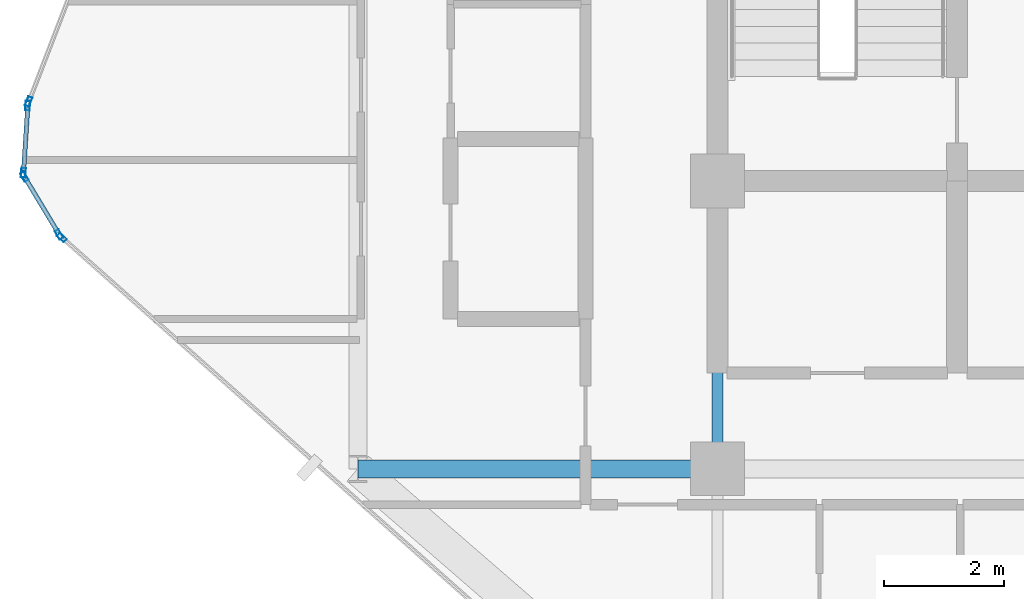
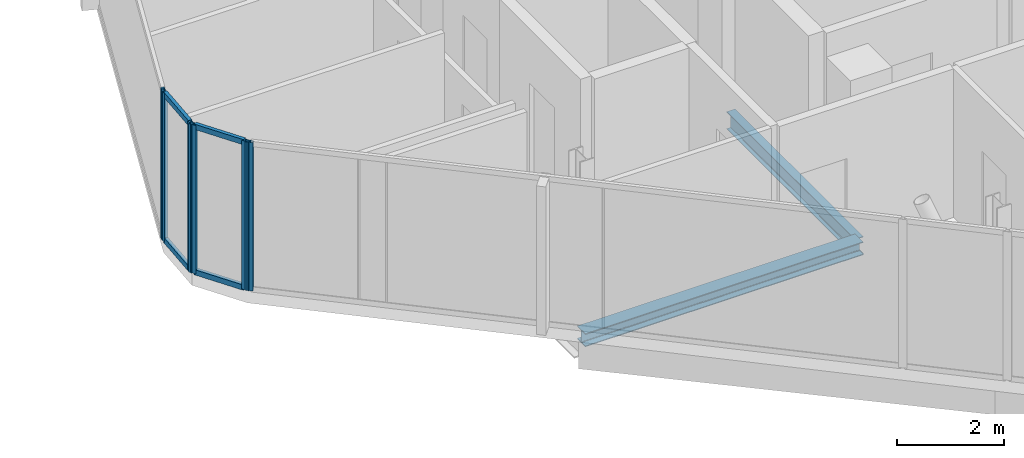
# One storey, part 8 of 29: 10 members, 2 beams, 4 elements without a shape of their own.
"""IFC4 building model written with IfcOpenShell, lengths in metres."""

from ifc_helpers import new_model, si_unit, direction, frame, origin, origin_2d, place, context, subcontext, project, spatial, hollow_rectangle, i_section, extrude, material, layer, layer_set, material_profile, profile_set, type_object, element, aggregate, save


model = new_model("IFC4")

# Units and contexts
model_context = context("Model", 3, precision=1e-05, world=origin(), true_north=direction((0.0, 1.0)))
body_context = subcontext(model_context, "Body", "Model", "MODEL_VIEW")
ifc_project = project(units=[si_unit("LENGTHUNIT", "METRE"), si_unit("AREAUNIT", "SQUARE_METRE"), si_unit("VOLUMEUNIT", "CUBIC_METRE"), si_unit("PLANEANGLEUNIT", "RADIAN"), si_unit("MASSUNIT", "GRAM", prefix="KILO")], contexts=[model_context])

# Site, building, storey
site_placement = place(None, origin())
site = spatial("IfcSite", under=ifc_project, at=site_placement, CompositionType="ELEMENT")
building_placement = place(site_placement, origin())
building = spatial("IfcBuilding", under=site, at=building_placement, Name="Keshet Zoharim Tower", CompositionType="ELEMENT")
storey_placement = place(building_placement, frame((0.0, 0.0, 188.39990234375)))
storey = spatial("IfcBuildingStorey", under=building, at=storey_placement, Name="L46", CompositionType="ELEMENT", Elevation=188.39990234375)

# Beams
ifc_material_1 = material(Name="Steel S355", Category="steel")
ifc_material_profile_1 = material_profile(ifc_material_1, i_section(OverallWidth=0.300048828125, OverallDepth=0.300048828125, WebThickness=0.010986328125, FlangeThickness=0.01904296875, FilletRadius=0.027099609375, at=origin_2d()), Name="HEB300")
ifc_profile_set_1 = profile_set([ifc_material_profile_1], Name="Steel S355")
beam_type_1 = type_object("IfcBeamType", Name="BM-PRI-HB300", PredefinedType="BEAM", material=ifc_profile_set_1)
beam_1_placement = place(storey_placement, frame((9.0, 17.89990234375, -0.4599609375), z_axis=(1.0, 0.0, 0.0), x_axis=(0.0, 1.0, 0.0)))
element("IfcBeam", 1, at=beam_1_placement, inside=storey, type_object=beam_type_1, Name="L46 Primary Girder X-011", PredefinedType="BEAM", context=body_context, shape_type="SweptSolid", body=[
    extrude(i_section(OverallWidth=0.300048828125, OverallDepth=0.300048828125, WebThickness=0.010986328125, FlangeThickness=0.01904296875, FilletRadius=0.027099609375, at=origin_2d()), origin(), (0.0, 0.0, 1.0), 6.0),
])
ifc_material_profile_2 = material_profile(ifc_material_1, i_section(OverallWidth=0.179931640625, OverallDepth=0.39990234375, WebThickness=0.008544921875, FlangeThickness=0.013427734375, FilletRadius=0.02099609375, at=origin_2d()), Name="IPE400")
ifc_profile_set_2 = profile_set([ifc_material_profile_2], Name="Steel S355")
beam_type_2 = type_object("IfcBeamType", Name="BM-PRI-IP400", PredefinedType="BEAM", material=ifc_profile_set_2)
beam_2_placement = place(storey_placement, frame((15.0, 17.89990234375, -0.510009765625), z_axis=(0.0, 1.0, 0.0), x_axis=(-1.0, 0.0, 0.0)))
element("IfcBeam", 2, at=beam_2_placement, inside=storey, type_object=beam_type_2, Name="L46 Primary Girder Y-003", PredefinedType="BEAM", context=body_context, shape_type="SweptSolid", body=[
    extrude(i_section(OverallWidth=0.179931640625, OverallDepth=0.39990234375, WebThickness=0.008544921875, FlangeThickness=0.013427734375, FilletRadius=0.02099609375, at=origin_2d()), origin(), (0.0, 0.0, 1.0), 4.800048828125),
])

# Curtain wall, member
ifc_material_2 = material(Name="Aluminium 6063-T6", Category="aluminium")
ifc_layer = layer(ifc_material_2, 0.139892578125)
ifc_layer_set = layer_set([ifc_layer], Name="Aluminium 6063-T6")
curtain_wall_type = type_object("IfcCurtainWallType", Name="CW-SYS-05", PredefinedType="NOTDEFINED", material=ifc_layer_set)
curtain_wall_1_placement = place(storey_placement, origin())
curtain_wall_1 = element("IfcCurtainWall", 3, at=curtain_wall_1_placement, inside=storey, type_object=curtain_wall_type, Name="L46 Unitised Curtain Wall 10 Part 3", PredefinedType="NOTDEFINED")
ifc_material_profile_3 = material_profile(ifc_material_2, hollow_rectangle(XDim=0.074951171875, YDim=0.159912109375, WallThickness=0.00390625, at=origin_2d()), Name="MUL-75x160")
ifc_profile_set_3 = profile_set([ifc_material_profile_3], Name="Aluminium 6063-T6")
member_type_1 = type_object("IfcMemberType", Name="CWM-M15", PredefinedType="MULLION", material=ifc_profile_set_3)
member_1_placement = place(storey_placement, frame((4.061279296875, 21.7568359375, 0.0), z_axis=(0.0, 0.0, 1.0), x_axis=(-0.664366823013, -0.747406666066, 0.0)))
member_1 = element("IfcMember", 4, at=member_1_placement, type_object=member_type_1, Name="CW-05 mullion 2", PredefinedType="MULLION", context=body_context, shape_type="SweptSolid", body=[
    extrude(hollow_rectangle(XDim=0.074951171875, YDim=0.159912109375, WallThickness=0.00390625, at=origin_2d()), origin(), (0.0, 0.0, 1.0), 3.39013671875),
])
aggregate(curtain_wall_1, [member_1])

# Curtain wall, members
curtain_wall_2_placement = place(storey_placement, origin())
curtain_wall_2 = element("IfcCurtainWall", 5, at=curtain_wall_2_placement, inside=storey, type_object=curtain_wall_type, Name="L46 Unitised Curtain Wall 11", PredefinedType="NOTDEFINED")
member_2_placement = place(storey_placement, frame((4.016845703125, 21.81005859375, 0.0), z_axis=(0.0, 0.0, 1.0), x_axis=(-0.856826433805, -0.515604947933, 0.0)))
member_2 = element("IfcMember", 6, at=member_2_placement, type_object=member_type_1, Name="CW-05 mullion 1", PredefinedType="MULLION", context=body_context, shape_type="SweptSolid", body=[
    extrude(hollow_rectangle(XDim=0.074951171875, YDim=0.159912109375, WallThickness=0.00390625, at=origin_2d()), origin(), (0.0, 0.0, 1.0), 3.39013671875),
])
member_3_placement = place(storey_placement, frame((3.43798828125, 22.77197265625, 0.0), z_axis=(0.0, 0.0, 1.0), x_axis=(-0.856826433805, -0.515604947933, 0.0)))
member_3 = element("IfcMember", 7, at=member_3_placement, type_object=member_type_1, Name="CW-05 mullion 2", PredefinedType="MULLION", context=body_context, shape_type="SweptSolid", body=[
    extrude(hollow_rectangle(XDim=0.074951171875, YDim=0.159912109375, WallThickness=0.00390625, at=origin_2d()), origin(), (0.0, 0.0, 1.0), 3.39013671875),
])

curtain_wall_3_placement = place(storey_placement, origin())
curtain_wall_3 = element("IfcCurtainWall", 8, at=curtain_wall_3_placement, inside=storey, type_object=curtain_wall_type, Name="L46 Unitised Curtain Wall 12", PredefinedType="NOTDEFINED")
member_4_placement = place(storey_placement, frame((3.42236328125, 22.8369140625, 0.0), z_axis=(0.0, 0.0, 1.0), x_axis=(-0.997916617186, 0.064516859374, 0.0)))
member_4 = element("IfcMember", 9, at=member_4_placement, type_object=member_type_1, Name="CW-05 mullion 1", PredefinedType="MULLION", context=body_context, shape_type="SweptSolid", body=[
    extrude(hollow_rectangle(XDim=0.074951171875, YDim=0.159912109375, WallThickness=0.00390625, at=origin_2d()), origin(), (0.0, 0.0, 1.0), 3.39013671875),
])
member_5_placement = place(storey_placement, frame((3.49462890625, 23.9580078125, 0.0), z_axis=(0.0, 0.0, 1.0), x_axis=(-0.997916617186, 0.064516859374, 0.0)))
member_5 = element("IfcMember", 10, at=member_5_placement, type_object=member_type_1, Name="CW-05 mullion 2", PredefinedType="MULLION", context=body_context, shape_type="SweptSolid", body=[
    extrude(hollow_rectangle(XDim=0.074951171875, YDim=0.159912109375, WallThickness=0.00390625, at=origin_2d()), origin(), (0.0, 0.0, 1.0), 3.39013671875),
])

# Curtain wall, member
curtain_wall_4_placement = place(storey_placement, origin())
curtain_wall_4 = element("IfcCurtainWall", 11, at=curtain_wall_4_placement, inside=storey, type_object=curtain_wall_type, Name="L46 Unitised Curtain Wall 13", PredefinedType="NOTDEFINED")
member_6_placement = place(storey_placement, frame((3.509521484375, 24.025634765625, 0.0), z_axis=(0.0, 0.0, 1.0), x_axis=(-0.933341404361, 0.358990003907, 0.0)))
member_6 = element("IfcMember", 12, at=member_6_placement, type_object=member_type_1, Name="CW-05 mullion 1", PredefinedType="MULLION", context=body_context, shape_type="SweptSolid", body=[
    extrude(hollow_rectangle(XDim=0.074951171875, YDim=0.159912109375, WallThickness=0.00390625, at=origin_2d()), origin(), (0.0, 0.0, 1.0), 3.39013671875),
])
aggregate(curtain_wall_4, [member_6])

# Member
ifc_material_profile_4 = material_profile(ifc_material_2, hollow_rectangle(XDim=0.074951171875, YDim=0.1201171875, WallThickness=0.00390625, at=origin_2d()), Name="TRN-75x120")
ifc_profile_set_4 = profile_set([ifc_material_profile_4], Name="Aluminium 6063-T6")
member_type_2 = type_object("IfcMemberType", Name="CWT-T12", PredefinedType="USERDEFINED", material=ifc_profile_set_4)
member_7_placement = place(storey_placement, frame((3.9990234375, 21.840087890625, 0.03515625), z_axis=(-0.515791194107, 0.856714330499, 0.0), x_axis=(-0.856714330499, -0.515791194107, 0.0)))
member_7 = element("IfcMember", 13, at=member_7_placement, type_object=member_type_2, Name="CW-05 transom 1.1", ObjectType="TRANSOM", PredefinedType="USERDEFINED", context=body_context, shape_type="SweptSolid", body=[
    extrude(hollow_rectangle(XDim=0.074951171875, YDim=0.1201171875, WallThickness=0.00390625, at=origin_2d()), origin(), (0.0, 0.0, 1.0), 1.052734375),
])

member_8_placement = place(storey_placement, frame((3.9990234375, 21.840087890625, 3.35498046875), z_axis=(-0.515791194107, 0.856714330499, 0.0), x_axis=(-0.856714330499, -0.515791194107, 0.0)))
member_8 = element("IfcMember", 14, at=member_8_placement, type_object=member_type_2, Name="CW-05 transom 1.2", ObjectType="TRANSOM", PredefinedType="USERDEFINED", context=body_context, shape_type="SweptSolid", body=[
    extrude(hollow_rectangle(XDim=0.074951171875, YDim=0.1201171875, WallThickness=0.00390625, at=origin_2d()), origin(), (0.0, 0.0, 1.0), 1.052734375),
])

aggregate(curtain_wall_2, [member_2, member_3, member_7, member_8])

member_9_placement = place(storey_placement, frame((3.424560546875, 22.871826171875, 0.03515625), z_axis=(0.064426947155, 0.997922426083, 0.0), x_axis=(-0.997922426083, 0.064426947155, 0.0)))
member_9 = element("IfcMember", 15, at=member_9_placement, type_object=member_type_2, Name="CW-05 transom 1.1", ObjectType="TRANSOM", PredefinedType="USERDEFINED", context=body_context, shape_type="SweptSolid", body=[
    extrude(hollow_rectangle(XDim=0.074951171875, YDim=0.1201171875, WallThickness=0.00390625, at=origin_2d()), origin(), (0.0, 0.0, 1.0), 1.053466796875),
])

member_10_placement = place(storey_placement, frame((3.424560546875, 22.871826171875, 3.35498046875), z_axis=(0.064426947155, 0.997922426083, 0.0), x_axis=(-0.997922426083, 0.064426947155, 0.0)))
member_10 = element("IfcMember", 16, at=member_10_placement, type_object=member_type_2, Name="CW-05 transom 1.2", ObjectType="TRANSOM", PredefinedType="USERDEFINED", context=body_context, shape_type="SweptSolid", body=[
    extrude(hollow_rectangle(XDim=0.074951171875, YDim=0.1201171875, WallThickness=0.00390625, at=origin_2d()), origin(), (0.0, 0.0, 1.0), 1.053466796875),
])

aggregate(curtain_wall_3, [member_4, member_5, member_9, member_10])

save(model, "model.ifc")
